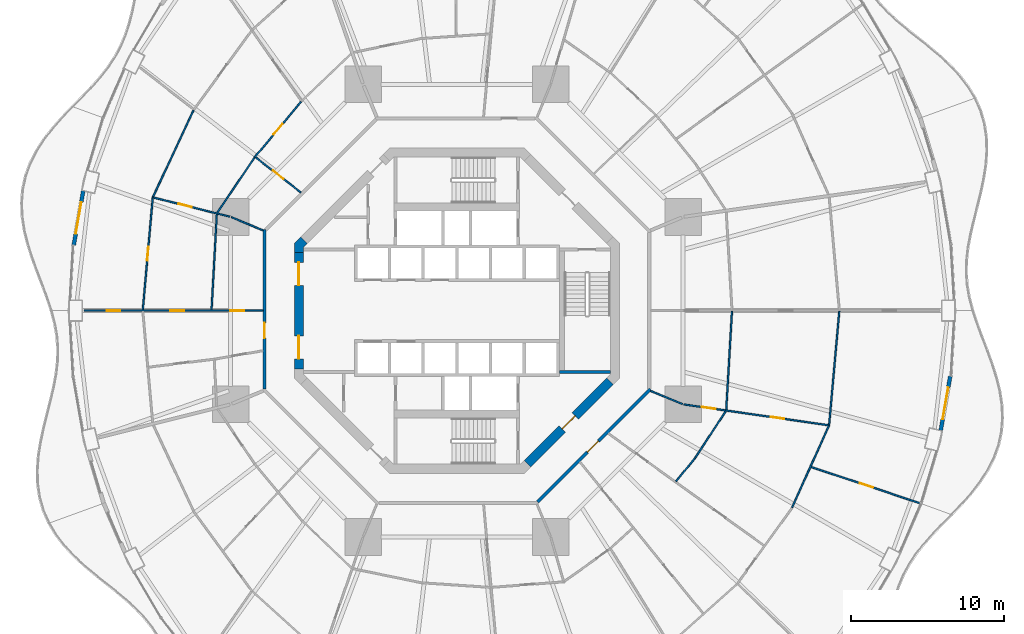
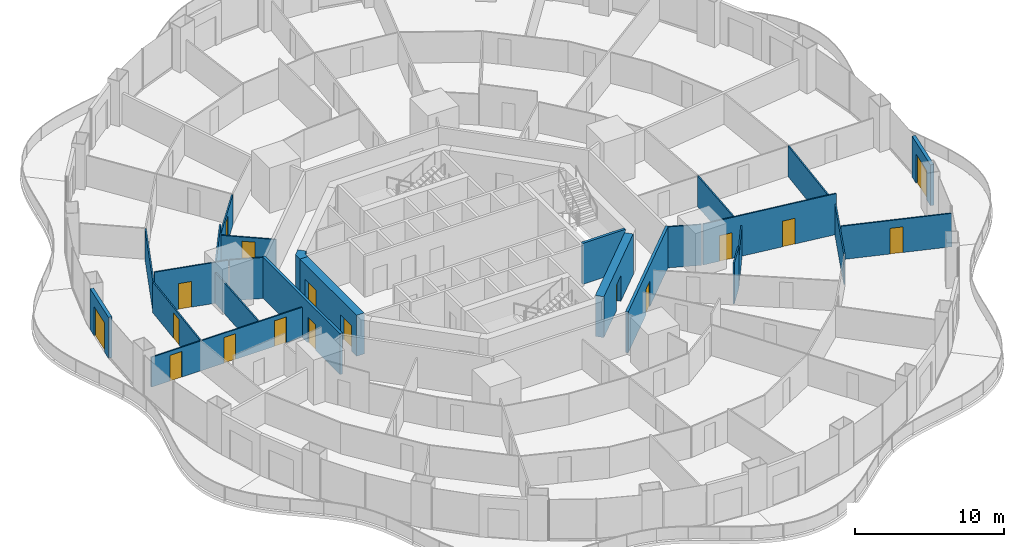
# One storey, part 16 of 22: 25 walls, 17 doors, 17 openings.
"""IFC4 building model written with IfcOpenShell, lengths in metres."""

from ifc_helpers import new_model, si_unit, direction, frame, frame_2d, origin, place, context, subcontext, project, spatial, polyline, rectangle, outline, extrude, material, layer, layer_set, type_object, element, fill, save


model = new_model("IFC4")

# Units and contexts
model_context = context("Model", 3, precision=1e-05, world=origin(), true_north=direction((0.0, 1.0)))
body_context = subcontext(model_context, "Body", "Model", "MODEL_VIEW")
ifc_project = project(units=[si_unit("LENGTHUNIT", "METRE"), si_unit("AREAUNIT", "SQUARE_METRE"), si_unit("VOLUMEUNIT", "CUBIC_METRE"), si_unit("PLANEANGLEUNIT", "RADIAN"), si_unit("MASSUNIT", "GRAM", prefix="KILO")], contexts=[model_context])

# Site, building, storey
site_placement = place(None, origin())
site = spatial("IfcSite", under=ifc_project, at=site_placement, CompositionType="ELEMENT")
building_placement = place(site_placement, origin())
building = spatial("IfcBuilding", under=site, at=building_placement, Name="Nagisa Residences", CompositionType="ELEMENT")
storey_placement = place(building_placement, frame((0.0, 0.0, 64.0)))
storey = spatial("IfcBuildingStorey", under=building, at=storey_placement, Name="L15", CompositionType="ELEMENT", Elevation=64.0)

# Wall, opening, door
ifc_material_1 = material(Name="Gypsum board on steel studs", Category="steel")
ifc_layer_1 = layer(ifc_material_1, 0.199951171875)
ifc_layer_set_1 = layer_set([ifc_layer_1], Name="Apartment entry wall EI60 200")
wall_type_1 = type_object("IfcWallType", Name="Apartment entry wall EI60 200", PredefinedType="PARTITIONING", material=ifc_layer_set_1)
wall_1_placement = place(storey_placement, frame((-12.564697265625, 5.304443359375, 0.0), z_axis=(0.0, 0.0, 1.0), x_axis=(0.0, -1.0, 0.0)))
wall_1 = element("IfcWall", 1, at=wall_1_placement, inside=storey, type_object=wall_type_1, Name="wall:L15:u10", PredefinedType="PARTITIONING", context=body_context, shape_type="SweptSolid", body=[
    extrude(rectangle(XDim=10.408935546875, YDim=0.199951171875, at=frame_2d((5.20458984375, 0.0))), origin(), (0.0, 0.0, 1.0), 3.35009765625),
])
opening_1_placement = place(wall_1_placement, frame((6.105712890625, 0.0, 0.0)))
opening_1 = element("IfcOpeningElement", 2, at=opening_1_placement, cuts=wall_1, Name="Opening L15-U42", PredefinedType="OPENING", context=body_context, shape_type="SweptSolid", body=[
    extrude(rectangle(XDim=1.0, YDim=2.10009765625, at=frame_2d((0.5, 1.050048828125))), frame((0.0, 0.10986328125, 0.0), z_axis=(0.0, -1.0, 0.0), x_axis=(1.0, 0.0, 0.0)), (0.0, 0.0, 1.0), 0.219970703125),
])
ifc_material_2 = material(Name="Timber fire door set", Category="wood")
door_type_1 = type_object("IfcDoorType", Name="Apartment entry door FD30S 1000x2100", OperationType="NOTDEFINED", PredefinedType="DOOR", material=ifc_material_2)
door_1_placement = place(opening_1_placement, frame((1.0, 0.0, 0.0), x_axis=(-1.0, 0.0, 0.0)))
door_1 = element("IfcDoor", 3, at=door_1_placement, inside=storey, type_object=door_type_1, Name="Entry door, Apartment 15C", OperationType="SINGLE_SWING_LEFT", OverallHeight=2.10009765625, OverallWidth=1.0, PredefinedType="DOOR", context=body_context, shape_type="SweptSolid", body=[
    extrude(rectangle(XDim=1.0, YDim=2.10009765625, at=frame_2d((0.5, 1.050048828125))), frame((0.0, 0.02490234375, 0.0), z_axis=(0.0, -1.0, 0.0), x_axis=(1.0, 0.0, 0.0)), (0.0, 0.0, 1.0), 0.050048828125),
])
fill(opening_1, door_1)

wall_2_placement = place(storey_placement, frame((5.275146484375, -12.494140625, 0.0), z_axis=(0.0, 0.0, 1.0), x_axis=(0.707106781187, 0.707106781187, 0.0)))
wall_2 = element("IfcWall", 4, at=wall_2_placement, inside=storey, type_object=wall_type_1, Name="wall:L15:u13", PredefinedType="PARTITIONING", context=body_context, shape_type="SweptSolid", body=[
    extrude(rectangle(XDim=10.4091796875, YDim=0.199951171875, at=frame_2d((5.20458984375, 0.0))), origin(), (0.0, 0.0, 1.0), 3.35009765625),
])
opening_2_placement = place(wall_2_placement, frame((4.6044921875, 0.0, 0.0)))
opening_2 = element("IfcOpeningElement", 5, at=opening_2_placement, cuts=wall_2, Name="Opening L15-U01", PredefinedType="OPENING", context=body_context, shape_type="SweptSolid", body=[
    extrude(rectangle(XDim=1.0, YDim=2.10009765625, at=frame_2d((0.5, 1.050048828125))), frame((0.0, 0.10986328125, 0.0), z_axis=(0.0, -1.0, 0.0), x_axis=(1.0, 0.0, 0.0)), (0.0, 0.0, 1.0), 0.219970703125),
])
door_2_placement = place(opening_2_placement, frame((1.0, 0.0, 0.0), x_axis=(-1.0, 0.0, 0.0)))
door_2 = element("IfcDoor", 6, at=door_2_placement, inside=storey, type_object=door_type_1, Name="Entry door, Apartment 15A", OperationType="SINGLE_SWING_RIGHT", OverallHeight=2.10009765625, OverallWidth=1.0, PredefinedType="DOOR", context=body_context, shape_type="SweptSolid", body=[
    extrude(rectangle(XDim=1.0, YDim=2.10009765625, at=frame_2d((0.5, 1.050048828125))), frame((0.0, 0.02490234375, 0.0), z_axis=(0.0, -1.0, 0.0), x_axis=(1.0, 0.0, 0.0)), (0.0, 0.0, 1.0), 0.050048828125),
])
fill(opening_2, door_2)

# Walls
ifc_material_3 = material(Name="Gypsum board on steel studs", Category="steel")
ifc_layer_2 = layer(ifc_material_3, 0.10009765625)
ifc_layer_set_2 = layer_set([ifc_layer_2], Name="Apartment partition 100")
wall_type_2 = type_object("IfcWallType", Name="Apartment partition 100", PredefinedType="PARTITIONING", material=ifc_layer_set_2)
wall_3_placement = place(storey_placement, frame((17.971435546875, -0.0498046875, 0.0), z_axis=(0.0, 0.0, 1.0), x_axis=(-0.058475267553, -0.998288857538, 0.0)))
element("IfcWall", 7, at=wall_3_placement, inside=storey, type_object=wall_type_2, Name="wall:L15:u16", PredefinedType="PARTITIONING", context=body_context, shape_type="SweptSolid", body=[
    extrude(rectangle(XDim=6.43798828125, YDim=0.10009765625, at=frame_2d((3.218994140625, 0.0))), origin(), (0.0, 0.0, 1.0), 2.514892578125),
])
wall_4_placement = place(storey_placement, frame((24.982177734375, -0.0498046875, 0.0), z_axis=(0.0, 0.0, 1.0), x_axis=(-0.089432471274, -0.995992888068, 0.0)))
element("IfcWall", 8, at=wall_4_placement, inside=storey, type_object=wall_type_2, Name="wall:L15:u18", PredefinedType="PARTITIONING", context=body_context, shape_type="SweptSolid", body=[
    extrude(rectangle(XDim=7.422607421875, YDim=0.10009765625, at=frame_2d((3.71142578125, 0.0))), origin(), (0.0, 0.0, 1.0), 2.514892578125),
])

# Wall, opening, door
wall_5_placement = place(storey_placement, frame((-10.18701171875, 13.643310546875, 0.0), z_axis=(0.0, 0.0, 1.0), x_axis=(-0.640807748916, -0.767701393075, 0.0)))
wall_5 = element("IfcWall", 9, at=wall_5_placement, inside=storey, type_object=wall_type_2, Name="wall:L15:u44", PredefinedType="PARTITIONING", context=body_context, shape_type="SweptSolid", body=[
    extrude(rectangle(XDim=4.73681640625, YDim=0.10009765625, at=frame_2d((2.368408203125, 0.0))), origin(), (0.0, 0.0, 1.0), 2.514892578125),
])
opening_3_placement = place(wall_5_placement, frame((1.893310546875, 0.0, 0.0)))
opening_3 = element("IfcOpeningElement", 10, at=opening_3_placement, cuts=wall_5, Name="Opening L15-U51", PredefinedType="OPENING", context=body_context, shape_type="SweptSolid", body=[
    extrude(rectangle(XDim=0.89990234375, YDim=2.10009765625, at=frame_2d((0.449951171875, 1.050048828125))), frame((0.0, 0.06005859375, 0.0), z_axis=(0.0, -1.0, 0.0), x_axis=(1.0, 0.0, 0.0)), (0.0, 0.0, 1.0), 0.1201171875),
])
ifc_material_4 = material(Name="Timber door set", Category="wood")
door_type_2 = type_object("IfcDoorType", Name="Apartment door 900x2100", OperationType="NOTDEFINED", PredefinedType="DOOR", material=ifc_material_4)
door_3_placement = place(opening_3_placement, origin())
door_3 = element("IfcDoor", 11, at=door_3_placement, inside=storey, type_object=door_type_2, Name="Door to laundry, Apartment 15C", OperationType="SINGLE_SWING_LEFT", OverallHeight=2.10009765625, OverallWidth=0.89990234375, PredefinedType="DOOR", context=body_context, shape_type="SweptSolid", body=[
    extrude(rectangle(XDim=0.89990234375, YDim=2.10009765625, at=frame_2d((0.449951171875, 1.050048828125))), frame((0.0, 0.02490234375, 0.0), z_axis=(0.0, -1.0, 0.0), x_axis=(1.0, 0.0, 0.0)), (0.0, 0.0, 1.0), 0.050048828125),
])
fill(opening_3, door_3)

wall_6_placement = place(storey_placement, frame((-10.1904296875, 7.71923828125, 0.0), z_axis=(0.0, 0.0, 1.0), x_axis=(-0.790253294643, 0.612780327937, 0.0)))
wall_6 = element("IfcWall", 12, at=wall_6_placement, inside=storey, type_object=wall_type_2, Name="wall:L15:u46", PredefinedType="PARTITIONING", context=body_context, shape_type="SweptSolid", body=[
    extrude(rectangle(XDim=3.745849609375, YDim=0.10009765625, at=frame_2d((1.873046875, 0.0))), origin(), (0.0, 0.0, 1.0), 2.447021484375),
])
opening_4_placement = place(wall_6_placement, frame((1.423095703125, 0.0, 0.0)))
opening_4 = element("IfcOpeningElement", 13, at=opening_4_placement, cuts=wall_6, Name="Opening L15-U52", PredefinedType="OPENING", context=body_context, shape_type="SweptSolid", body=[
    extrude(rectangle(XDim=0.89990234375, YDim=2.10009765625, at=frame_2d((0.449951171875, 1.050048828125))), frame((0.0, 0.06005859375, 0.0), z_axis=(0.0, -1.0, 0.0), x_axis=(1.0, 0.0, 0.0)), (0.0, 0.0, 1.0), 0.1201171875),
])
door_4_placement = place(opening_4_placement, origin())
door_4 = element("IfcDoor", 14, at=door_4_placement, inside=storey, type_object=door_type_2, Name="Door to store, Apartment 15C", OperationType="SINGLE_SWING_RIGHT", OverallHeight=2.10009765625, OverallWidth=0.89990234375, PredefinedType="DOOR", context=body_context, shape_type="SweptSolid", body=[
    extrude(rectangle(XDim=0.89990234375, YDim=2.10009765625, at=frame_2d((0.449951171875, 1.050048828125))), frame((0.0, 0.02490234375, 0.0), z_axis=(0.0, -1.0, 0.0), x_axis=(1.0, 0.0, 0.0)), (0.0, 0.0, 1.0), 0.050048828125),
])
fill(opening_4, door_4)

# Walls
wall_7_placement = place(storey_placement, frame((-13.21826171875, 10.00390625, 0.0), z_axis=(0.0, 0.0, 1.0), x_axis=(-0.559126445155, -0.82908239538, 0.0)))
element("IfcWall", 15, at=wall_7_placement, inside=storey, type_object=wall_type_2, Name="wall:L15:u47", PredefinedType="PARTITIONING", context=body_context, shape_type="SweptSolid", body=[
    extrude(rectangle(XDim=4.358154296875, YDim=0.10009765625, at=frame_2d((2.17919921875, 0.0))), origin(), (0.0, 0.0, 1.0), 3.35009765625),
])
wall_8_placement = place(storey_placement, frame((-17.20263671875, 13.0947265625, 0.0), z_axis=(0.0, 0.0, 1.0), x_axis=(-0.423892287987, -0.905712607942, 0.0)))
element("IfcWall", 16, at=wall_8_placement, inside=storey, type_object=wall_type_2, Name="wall:L15:u49", PredefinedType="PARTITIONING", context=body_context, shape_type="SweptSolid", body=[
    extrude(rectangle(XDim=6.237548828125, YDim=0.10009765625, at=frame_2d((3.11865234375, 0.0))), origin(), (0.0, 0.0, 1.0), 2.514892578125),
])
wall_9_placement = place(storey_placement, frame((-12.6572265625, 5.24267578125, 0.0), z_axis=(0.0, 0.0, 1.0), x_axis=(-0.923864733477, 0.382719158442, 0.0)))
element("IfcWall", 17, at=wall_9_placement, inside=storey, type_object=wall_type_2, Name="wall:L15:u50", PredefinedType="PARTITIONING", context=body_context, shape_type="SweptSolid", body=[
    extrude(rectangle(XDim=2.25, YDim=0.10009765625, at=frame_2d((1.125, 0.0))), origin(), (0.0, 0.0, 1.0), 3.35009765625),
])

# Wall, opening, door
wall_10_placement = place(storey_placement, frame((-14.83056640625, 6.135009765625, 0.0), z_axis=(0.0, 0.0, 1.0), x_axis=(-0.96988230015, 0.243574062362, 0.0)))
wall_10 = element("IfcWall", 18, at=wall_10_placement, inside=storey, type_object=wall_type_2, Name="wall:L15:u51", PredefinedType="PARTITIONING", context=body_context, shape_type="SweptSolid", body=[
    extrude(rectangle(XDim=5.14404296875, YDim=0.10009765625, at=frame_2d((2.572021484375, 0.0))), origin(), (0.0, 0.0, 1.0), 3.35009765625),
])
opening_5_placement = place(wall_10_placement, frame((2.561279296875, 0.0, 0.0)))
opening_5 = element("IfcOpeningElement", 19, at=opening_5_placement, cuts=wall_10, Name="Opening L15-U49", PredefinedType="OPENING", context=body_context, shape_type="SweptSolid", body=[
    extrude(rectangle(XDim=0.89990234375, YDim=2.10009765625, at=frame_2d((0.449951171875, 1.050048828125))), frame((0.0, 0.06005859375, 0.0), z_axis=(0.0, -1.0, 0.0), x_axis=(1.0, 0.0, 0.0)), (0.0, 0.0, 1.0), 0.1201171875),
])
door_5_placement = place(opening_5_placement, frame((0.89990234375, 0.0, 0.0), x_axis=(-1.0, 0.0, 0.0)))
door_5 = element("IfcDoor", 20, at=door_5_placement, inside=storey, type_object=door_type_2, Name="Door to family room, Apartment 15C", OperationType="SINGLE_SWING_RIGHT", OverallHeight=2.10009765625, OverallWidth=0.89990234375, PredefinedType="DOOR", context=body_context, shape_type="SweptSolid", body=[
    extrude(rectangle(XDim=0.89990234375, YDim=2.10009765625, at=frame_2d((0.449951171875, 1.050048828125))), frame((0.0, 0.02490234375, 0.0), z_axis=(0.0, -1.0, 0.0), x_axis=(1.0, 0.0, 0.0)), (0.0, 0.0, 1.0), 0.050048828125),
])
fill(opening_5, door_5)

# Wall
wall_11_placement = place(storey_placement, frame((-15.685546875, 6.29931640625, 0.0), z_axis=(0.0, 0.0, 1.0), x_axis=(-0.054651178503, -0.99850550759, 0.0)))
element("IfcWall", 21, at=wall_11_placement, inside=storey, type_object=wall_type_2, Name="wall:L15:u52", PredefinedType="PARTITIONING", context=body_context, shape_type="SweptSolid", body=[
    extrude(rectangle(XDim=6.258544921875, YDim=0.10009765625, at=frame_2d((3.12939453125, 0.0))), origin(), (0.0, 0.0, 1.0), 2.514892578125),
])

# Wall, opening, door
wall_12_placement = place(storey_placement, frame((-19.863525390625, 7.449951171875, 0.0), z_axis=(0.0, 0.0, 1.0), x_axis=(-0.088138375539, -0.996108240483, 0.0)))
wall_12 = element("IfcWall", 22, at=wall_12_placement, inside=storey, type_object=wall_type_2, Name="wall:L15:u53", PredefinedType="PARTITIONING", context=body_context, shape_type="SweptSolid", body=[
    extrude(rectangle(XDim=7.428955078125, YDim=0.10009765625, at=frame_2d((3.71435546875, 0.0))), origin(), (0.0, 0.0, 1.0), 2.514892578125),
])
opening_6_placement = place(wall_12_placement, frame((3.28955078125, 0.0, 0.0)))
opening_6 = element("IfcOpeningElement", 23, at=opening_6_placement, cuts=wall_12, Name="Opening L15-U47", PredefinedType="OPENING", context=body_context, shape_type="SweptSolid", body=[
    extrude(rectangle(XDim=0.89990234375, YDim=2.10009765625, at=frame_2d((0.449951171875, 1.050048828125))), frame((0.0, 0.06005859375, 0.0), z_axis=(0.0, -1.0, 0.0), x_axis=(1.0, 0.0, 0.0)), (0.0, 0.0, 1.0), 0.1201171875),
])
door_6_placement = place(opening_6_placement, frame((0.89990234375, 0.0, 0.0), x_axis=(-1.0, 0.0, 0.0)))
door_6 = element("IfcDoor", 24, at=door_6_placement, inside=storey, type_object=door_type_2, Name="Door to family room, Apartment 15C", OperationType="SINGLE_SWING_RIGHT", OverallHeight=2.10009765625, OverallWidth=0.89990234375, PredefinedType="DOOR", context=body_context, shape_type="SweptSolid", body=[
    extrude(rectangle(XDim=0.89990234375, YDim=2.10009765625, at=frame_2d((0.449951171875, 1.050048828125))), frame((0.0, 0.02490234375, 0.0), z_axis=(0.0, -1.0, 0.0), x_axis=(1.0, 0.0, 0.0)), (0.0, 0.0, 1.0), 0.050048828125),
])
fill(opening_6, door_6)

# Wall, openings, doors
wall_13_placement = place(storey_placement, frame((-12.664794921875, 0.0, 0.0), z_axis=(0.0, 0.0, 1.0), x_axis=(-1.0, 0.0, 0.0)))
wall_13 = element("IfcWall", 25, at=wall_13_placement, inside=storey, type_object=wall_type_2, Name="wall:L15:u54", PredefinedType="PARTITIONING", context=body_context, shape_type="SweptSolid", body=[
    extrude(rectangle(XDim=11.685302734375, YDim=0.10009765625, at=frame_2d((5.8427734375, 0.0))), origin(), (0.0, 0.0, 1.0), 2.447021484375),
])
opening_7_placement = place(wall_13_placement, frame((1.23291015625, 0.0, 0.0)))
opening_7 = element("IfcOpeningElement", 26, at=opening_7_placement, cuts=wall_13, Name="Opening L15-U43", PredefinedType="OPENING", context=body_context, shape_type="SweptSolid", body=[
    extrude(rectangle(XDim=0.89990234375, YDim=2.10009765625, at=frame_2d((0.449951171875, 1.050048828125))), frame((0.0, 0.06005859375, 0.0), z_axis=(0.0, -1.0, 0.0), x_axis=(1.0, 0.0, 0.0)), (0.0, 0.0, 1.0), 0.1201171875),
])
opening_8_placement = place(wall_13_placement, frame((5.16162109375, 0.0, 0.0)))
opening_8 = element("IfcOpeningElement", 27, at=opening_8_placement, cuts=wall_13, Name="Opening L15-U45", PredefinedType="OPENING", context=body_context, shape_type="SweptSolid", body=[
    extrude(rectangle(XDim=0.89990234375, YDim=2.10009765625, at=frame_2d((0.449951171875, 1.050048828125))), frame((0.0, 0.06005859375, 0.0), z_axis=(0.0, -1.0, 0.0), x_axis=(1.0, 0.0, 0.0)), (0.0, 0.0, 1.0), 0.1201171875),
])
opening_9_placement = place(wall_13_placement, frame((9.321533203125, 0.0, 0.0)))
opening_9 = element("IfcOpeningElement", 28, at=opening_9_placement, cuts=wall_13, Name="Opening L15-U48", PredefinedType="OPENING", context=body_context, shape_type="SweptSolid", body=[
    extrude(rectangle(XDim=0.89990234375, YDim=2.10009765625, at=frame_2d((0.449951171875, 1.050048828125))), frame((0.0, 0.06005859375, 0.0), z_axis=(0.0, -1.0, 0.0), x_axis=(1.0, 0.0, 0.0)), (0.0, 0.0, 1.0), 0.1201171875),
])
door_7_placement = place(opening_7_placement, frame((0.89990234375, 0.0, 0.0), x_axis=(-1.0, 0.0, 0.0)))
door_7 = element("IfcDoor", 29, at=door_7_placement, inside=storey, type_object=door_type_2, Name="Door to family bathroom, Apartment 15C", OperationType="SINGLE_SWING_RIGHT", OverallHeight=2.10009765625, OverallWidth=0.89990234375, PredefinedType="DOOR", context=body_context, shape_type="SweptSolid", body=[
    extrude(rectangle(XDim=0.89990234375, YDim=2.10009765625, at=frame_2d((0.449951171875, 1.050048828125))), frame((0.0, 0.02490234375, 0.0), z_axis=(0.0, -1.0, 0.0), x_axis=(1.0, 0.0, 0.0)), (0.0, 0.0, 1.0), 0.050048828125),
])
fill(opening_7, door_7)
door_8_placement = place(opening_8_placement, frame((0.89990234375, 0.0, 0.0), x_axis=(-1.0, 0.0, 0.0)))
door_8 = element("IfcDoor", 30, at=door_8_placement, inside=storey, type_object=door_type_2, Name="Door to dining room, Apartment 15C", OperationType="SINGLE_SWING_RIGHT", OverallHeight=2.10009765625, OverallWidth=0.89990234375, PredefinedType="DOOR", context=body_context, shape_type="SweptSolid", body=[
    extrude(rectangle(XDim=0.89990234375, YDim=2.10009765625, at=frame_2d((0.449951171875, 1.050048828125))), frame((0.0, 0.02490234375, 0.0), z_axis=(0.0, -1.0, 0.0), x_axis=(1.0, 0.0, 0.0)), (0.0, 0.0, 1.0), 0.050048828125),
])
fill(opening_8, door_8)
door_9_placement = place(opening_9_placement, origin())
door_9 = element("IfcDoor", 31, at=door_9_placement, inside=storey, type_object=door_type_2, Name="Door to bedroom, Apartment 15C", OperationType="SINGLE_SWING_RIGHT", OverallHeight=2.10009765625, OverallWidth=0.89990234375, PredefinedType="DOOR", context=body_context, shape_type="SweptSolid", body=[
    extrude(rectangle(XDim=0.89990234375, YDim=2.10009765625, at=frame_2d((0.449951171875, 1.050048828125))), frame((0.0, 0.02490234375, 0.0), z_axis=(0.0, -1.0, 0.0), x_axis=(1.0, 0.0, 0.0)), (0.0, 0.0, 1.0), 0.050048828125),
])
fill(opening_9, door_9)

# Walls
wall_14_placement = place(storey_placement, frame((14.31982421875, -11.153076171875, 0.0), z_axis=(0.0, 0.0, 1.0), x_axis=(0.63006076661, 0.776545832761, 0.0)))
element("IfcWall", 32, at=wall_14_placement, inside=storey, type_object=wall_type_2, Name="wall:L15:u89", PredefinedType="PARTITIONING", context=body_context, shape_type="SweptSolid", body=[
    extrude(rectangle(XDim=1.953369140625, YDim=0.10009765625, at=frame_2d((0.9765625, 0.0))), origin(), (0.0, 0.0, 1.0), 3.35009765625),
])
wall_15_placement = place(storey_placement, frame((15.5546875, -9.639404296875, 0.0), z_axis=(0.0, 0.0, 1.0), x_axis=(0.547618530423, 0.836728119007, 0.0)))
element("IfcWall", 33, at=wall_15_placement, inside=storey, type_object=wall_type_2, Name="wall:L15:u90", PredefinedType="PARTITIONING", context=body_context, shape_type="SweptSolid", body=[
    extrude(rectangle(XDim=3.669921875, YDim=0.10009765625, at=frame_2d((1.8349609375, 0.0))), origin(), (0.0, 0.0, 1.0), 2.514892578125),
])
wall_16_placement = place(storey_placement, frame((21.89892578125, -12.861328125, 0.0), z_axis=(0.0, 0.0, 1.0), x_axis=(0.410197710154, 0.911996622025, 0.0)))
element("IfcWall", 34, at=wall_16_placement, inside=storey, type_object=wall_type_2, Name="wall:L15:u91", PredefinedType="PARTITIONING", context=body_context, shape_type="SweptSolid", body=[
    extrude(rectangle(XDim=5.8369140625, YDim=0.10009765625, at=frame_2d((2.91845703125, 0.0))), origin(), (0.0, 0.0, 1.0), 2.514892578125),
])

# Wall, opening, door
wall_17_placement = place(storey_placement, frame((23.1435546875, -10.215576171875, 0.0), z_axis=(0.0, 0.0, 1.0), x_axis=(0.948811715359, -0.315842253027, 0.0)))
wall_17 = element("IfcWall", 35, at=wall_17_placement, inside=storey, type_object=wall_type_2, Name="wall:L15:u92", PredefinedType="PARTITIONING", context=body_context, shape_type="SweptSolid", body=[
    extrude(rectangle(XDim=7.599853515625, YDim=0.10009765625, at=frame_2d((3.7998046875, 0.0))), origin(), (0.0, 0.0, 1.0), 2.738037109375),
])
opening_10_placement = place(wall_17_placement, frame((3.35009765625, 0.0, 0.0)))
opening_10 = element("IfcOpeningElement", 36, at=opening_10_placement, cuts=wall_17, Name="Opening L15-U15", PredefinedType="OPENING", context=body_context, shape_type="SweptSolid", body=[
    extrude(rectangle(XDim=0.89990234375, YDim=2.10009765625, at=frame_2d((0.449951171875, 1.050048828125))), frame((0.0, 0.06005859375, 0.0), z_axis=(0.0, -1.0, 0.0), x_axis=(1.0, 0.0, 0.0)), (0.0, 0.0, 1.0), 0.1201171875),
])
door_10_placement = place(opening_10_placement, origin())
door_10 = element("IfcDoor", 37, at=door_10_placement, inside=storey, type_object=door_type_2, Name="Door to family room, Apartment 15A", OperationType="SINGLE_SWING_LEFT", OverallHeight=2.10009765625, OverallWidth=0.89990234375, PredefinedType="DOOR", context=body_context, shape_type="SweptSolid", body=[
    extrude(rectangle(XDim=0.89990234375, YDim=2.10009765625, at=frame_2d((0.449951171875, 1.050048828125))), frame((0.0, 0.02490234375, 0.0), z_axis=(0.0, -1.0, 0.0), x_axis=(1.0, 0.0, 0.0)), (0.0, 0.0, 1.0), 0.050048828125),
])
fill(opening_10, door_10)

# Wall
wall_18_placement = place(storey_placement, frame((12.6572265625, -5.24267578125, 0.0), z_axis=(0.0, 0.0, 1.0), x_axis=(0.923864733477, -0.382719158442, 0.0)))
element("IfcWall", 38, at=wall_18_placement, inside=storey, type_object=wall_type_2, Name="wall:L15:u93", PredefinedType="PARTITIONING", context=body_context, shape_type="SweptSolid", body=[
    extrude(rectangle(XDim=2.25, YDim=0.10009765625, at=frame_2d((1.125, 0.0))), origin(), (0.0, 0.0, 1.0), 3.35009765625),
])

# Wall, openings, doors
wall_19_placement = place(storey_placement, frame((14.83154296875, -6.130126953125, 0.0), z_axis=(0.0, 0.0, 1.0), x_axis=(0.989837122016, -0.142205737856, 0.0)))
wall_19 = element("IfcWall", 39, at=wall_19_placement, inside=storey, type_object=wall_type_2, Name="wall:L15:u94", PredefinedType="PARTITIONING", context=body_context, shape_type="SweptSolid", body=[
    extrude(rectangle(XDim=9.629638671875, YDim=0.10009765625, at=frame_2d((4.81494140625, 0.0))), origin(), (0.0, 0.0, 1.0), 3.35009765625),
])
opening_11_placement = place(wall_19_placement, frame((1.18212890625, 0.0, 0.0)))
opening_11 = element("IfcOpeningElement", 40, at=opening_11_placement, cuts=wall_19, Name="Opening L15-U04", PredefinedType="OPENING", context=body_context, shape_type="SweptSolid", body=[
    extrude(rectangle(XDim=0.89990234375, YDim=2.10009765625, at=frame_2d((0.449951171875, 1.050048828125))), frame((0.0, 0.06005859375, 0.0), z_axis=(0.0, -1.0, 0.0), x_axis=(1.0, 0.0, 0.0)), (0.0, 0.0, 1.0), 0.1201171875),
])
opening_12_placement = place(wall_19_placement, frame((5.734130859375, 0.0, 0.0)))
opening_12 = element("IfcOpeningElement", 41, at=opening_12_placement, cuts=wall_19, Name="Opening L15-U09", PredefinedType="OPENING", context=body_context, shape_type="SweptSolid", body=[
    extrude(rectangle(XDim=0.89990234375, YDim=2.10009765625, at=frame_2d((0.449951171875, 1.050048828125))), frame((0.0, 0.06005859375, 0.0), z_axis=(0.0, -1.0, 0.0), x_axis=(1.0, 0.0, 0.0)), (0.0, 0.0, 1.0), 0.1201171875),
])
door_11_placement = place(opening_11_placement, origin())
door_11 = element("IfcDoor", 42, at=door_11_placement, inside=storey, type_object=door_type_2, Name="Door to store, Apartment 15A", OperationType="SINGLE_SWING_RIGHT", OverallHeight=2.10009765625, OverallWidth=0.89990234375, PredefinedType="DOOR", context=body_context, shape_type="SweptSolid", body=[
    extrude(rectangle(XDim=0.89990234375, YDim=2.10009765625, at=frame_2d((0.449951171875, 1.050048828125))), frame((0.0, 0.02490234375, 0.0), z_axis=(0.0, -1.0, 0.0), x_axis=(1.0, 0.0, 0.0)), (0.0, 0.0, 1.0), 0.050048828125),
])
fill(opening_11, door_11)
door_12_placement = place(opening_12_placement, origin())
door_12 = element("IfcDoor", 43, at=door_12_placement, inside=storey, type_object=door_type_2, Name="Door to family room, Apartment 15A", OperationType="SINGLE_SWING_LEFT", OverallHeight=2.10009765625, OverallWidth=0.89990234375, PredefinedType="DOOR", context=body_context, shape_type="SweptSolid", body=[
    extrude(rectangle(XDim=0.89990234375, YDim=2.10009765625, at=frame_2d((0.449951171875, 1.050048828125))), frame((0.0, 0.02490234375, 0.0), z_axis=(0.0, -1.0, 0.0), x_axis=(1.0, 0.0, 0.0)), (0.0, 0.0, 1.0), 0.050048828125),
])
fill(opening_12, door_12)

# Wall, opening, door
ifc_material_5 = material(Name="Precast concrete C40/50", Category="concrete")
ifc_layer_3 = layer(ifc_material_5, 0.25)
ifc_layer_set_3 = layer_set([ifc_layer_3], Name="BALCONY DOOR WALL 250")
wall_type_3 = type_object("IfcWallType", Name="BALCONY DOOR WALL 250", PredefinedType="SOLIDWALL", material=ifc_layer_set_3)
wall_20_placement = place(storey_placement, frame((-25.02880859375, 4.285888671875, 0.0), z_axis=(0.0, 0.0, 1.0), x_axis=(0.172217377323, 0.98505897029, 0.0)))
wall_20 = element("IfcWall", 44, at=wall_20_placement, inside=storey, type_object=wall_type_3, Name="wall:L15:bay22", PredefinedType="SOLIDWALL", context=body_context, shape_type="SweptSolid", body=[
    extrude(rectangle(XDim=3.597900390625, YDim=0.25, at=frame_2d((1.798828125, 0.0))), origin(), (0.0, 0.0, 1.0), 3.35009765625),
])
opening_13_placement = place(wall_20_placement, frame((0.7490234375, 0.0, 0.0)))
opening_13 = element("IfcOpeningElement", 45, at=opening_13_placement, cuts=wall_20, Name="Opening BD-L15-08", PredefinedType="OPENING", context=body_context, shape_type="SweptSolid", body=[
    extrude(rectangle(XDim=2.10009765625, YDim=2.39990234375, at=frame_2d((1.050048828125, 1.199951171875))), frame((0.0, 0.135009765625, 0.0), z_axis=(0.0, -1.0, 0.0), x_axis=(1.0, 0.0, 0.0)), (0.0, 0.0, 1.0), 0.27001953125),
])
ifc_material_6 = material(Name="Aluminium and clear glass", Category="aluminium")
door_type_3 = type_object("IfcDoorType", Name="BALCONY SLIDING DOOR 2100x2400", OperationType="SLIDING_TO_LEFT", PredefinedType="DOOR", material=ifc_material_6)
door_13_placement = place(opening_13_placement, origin())
door_13 = element("IfcDoor", 46, at=door_13_placement, inside=storey, type_object=door_type_3, Name="door:L15:bay22", OperationType="SLIDING_TO_LEFT", OverallHeight=2.39990234375, OverallWidth=2.10009765625, PredefinedType="DOOR", context=body_context, shape_type="SweptSolid", body=[
    extrude(rectangle(XDim=2.10009765625, YDim=2.39990234375, at=frame_2d((1.050048828125, 1.199951171875))), frame((0.0, 0.02490234375, 0.0), z_axis=(0.0, -1.0, 0.0), x_axis=(1.0, 0.0, 0.0)), (0.0, 0.0, 1.0), 0.050048828125),
])
fill(opening_13, door_13)

wall_21_placement = place(storey_placement, frame((32.228759765625, -4.285888671875, 0.0), z_axis=(0.0, 0.0, 1.0), x_axis=(-0.172217377323, -0.98505897029, 0.0)))
wall_21 = element("IfcWall", 47, at=wall_21_placement, inside=storey, type_object=wall_type_3, Name="wall:L15:bay46", PredefinedType="SOLIDWALL", context=body_context, shape_type="SweptSolid", body=[
    extrude(rectangle(XDim=3.597900390625, YDim=0.25, at=frame_2d((1.798828125, 0.0))), origin(), (0.0, 0.0, 1.0), 3.35009765625),
])
opening_14_placement = place(wall_21_placement, frame((0.7490234375, 0.0, 0.0)))
opening_14 = element("IfcOpeningElement", 48, at=opening_14_placement, cuts=wall_21, Name="Opening BD-L15-16", PredefinedType="OPENING", context=body_context, shape_type="SweptSolid", body=[
    extrude(rectangle(XDim=2.10009765625, YDim=2.39990234375, at=frame_2d((1.050048828125, 1.199951171875))), frame((0.0, 0.135009765625, 0.0), z_axis=(0.0, -1.0, 0.0), x_axis=(1.0, 0.0, 0.0)), (0.0, 0.0, 1.0), 0.27001953125),
])
door_14_placement = place(opening_14_placement, origin())
door_14 = element("IfcDoor", 49, at=door_14_placement, inside=storey, type_object=door_type_3, Name="door:L15:bay46", OperationType="SLIDING_TO_LEFT", OverallHeight=2.39990234375, OverallWidth=2.10009765625, PredefinedType="DOOR", context=body_context, shape_type="SweptSolid", body=[
    extrude(rectangle(XDim=2.10009765625, YDim=2.39990234375, at=frame_2d((1.050048828125, 1.199951171875))), frame((0.0, 0.02490234375, 0.0), z_axis=(0.0, -1.0, 0.0), x_axis=(1.0, 0.0, 0.0)), (0.0, 0.0, 1.0), 0.050048828125),
])
fill(opening_14, door_14)

# Wall, openings, doors
ifc_material_7 = material(Name="Concrete C60", Category="concrete")
ifc_layer_4 = layer(ifc_material_7, 0.60009765625)
ifc_layer_set_4 = layer_set([ifc_layer_4], Name="Core shear wall 600")
wall_type_4 = type_object("IfcWallType", Name="Core shear wall 600", PredefinedType="SHEAR", material=ifc_layer_set_4)
wall_22_placement = place(storey_placement, frame((-10.32470703125, 3.80078125, 0.0), z_axis=(0.0, 0.0, 1.0), x_axis=(0.0, -1.0, 0.0)))
wall_22 = element("IfcWall", 50, at=wall_22_placement, inside=storey, type_object=wall_type_4, Name="wall:L15:core:flat4", PredefinedType="SHEAR", context=body_context, shape_type="SweptSolid", body=[
    extrude(rectangle(XDim=7.6015625, YDim=0.60009765625, at=frame_2d((3.80078125, 0.0))), origin(), (0.0, 0.0, 1.0), 3.35009765625),
])
opening_15_placement = place(wall_22_placement, frame((0.65087890625, 0.0, 0.0)))
opening_15 = element("IfcOpeningElement", 51, at=opening_15_placement, cuts=wall_22, Name="Opening L15-C18", PredefinedType="OPENING", context=body_context, shape_type="SweptSolid", body=[
    extrude(rectangle(XDim=1.5, YDim=2.10009765625, at=frame_2d((0.75, 1.050048828125))), frame((0.0, 0.31005859375, 0.0), z_axis=(0.0, -1.0, 0.0), x_axis=(1.0, 0.0, 0.0)), (0.0, 0.0, 1.0), 0.6201171875),
])
opening_16_placement = place(wall_22_placement, frame((5.450927734375, 0.0, 0.0)))
opening_16 = element("IfcOpeningElement", 52, at=opening_16_placement, cuts=wall_22, Name="Opening L15-C19", PredefinedType="OPENING", context=body_context, shape_type="SweptSolid", body=[
    extrude(rectangle(XDim=1.5, YDim=2.10009765625, at=frame_2d((0.75, 1.050048828125))), frame((0.0, 0.31005859375, 0.0), z_axis=(0.0, -1.0, 0.0), x_axis=(1.0, 0.0, 0.0)), (0.0, 0.0, 1.0), 0.6201171875),
])
ifc_material_8 = material(Name="Steel fire door", Category="steel")
door_type_4 = type_object("IfcDoorType", Name="Fire door EI60 1500x2100 double door single swing", OperationType="DOUBLE_DOOR_SINGLE_SWING", PredefinedType="DOOR", material=ifc_material_8)
door_15_placement = place(opening_15_placement, origin())
door_15 = element("IfcDoor", 53, at=door_15_placement, inside=storey, type_object=door_type_4, Name="Lift lobby door L15 1", OperationType="DOUBLE_DOOR_SINGLE_SWING", OverallHeight=2.10009765625, OverallWidth=1.5, PredefinedType="DOOR", context=body_context, shape_type="SweptSolid", body=[
    extrude(rectangle(XDim=1.5, YDim=2.10009765625, at=frame_2d((0.75, 1.050048828125))), frame((0.0, 0.02490234375, 0.0), z_axis=(0.0, -1.0, 0.0), x_axis=(1.0, 0.0, 0.0)), (0.0, 0.0, 1.0), 0.050048828125),
])
fill(opening_15, door_15)
door_16_placement = place(opening_16_placement, origin())
door_16 = element("IfcDoor", 54, at=door_16_placement, inside=storey, type_object=door_type_4, Name="Lift lobby door L15 2", OperationType="DOUBLE_DOOR_SINGLE_SWING", OverallHeight=2.10009765625, OverallWidth=1.5, PredefinedType="DOOR", context=body_context, shape_type="SweptSolid", body=[
    extrude(rectangle(XDim=1.5, YDim=2.10009765625, at=frame_2d((0.75, 1.050048828125))), frame((0.0, 0.02490234375, 0.0), z_axis=(0.0, -1.0, 0.0), x_axis=(1.0, 0.0, 0.0)), (0.0, 0.0, 1.0), 0.050048828125),
])
fill(opening_16, door_16)

# Wall, opening, door
wall_23_placement = place(storey_placement, frame((4.613037109375, -9.98828125, 0.0), z_axis=(0.0, 0.0, 1.0), x_axis=(0.707106781187, 0.707106781187, 0.0)))
wall_23 = element("IfcWall", 55, at=wall_23_placement, inside=storey, type_object=wall_type_4, Name="wall:L15:core:flat7", PredefinedType="SHEAR", context=body_context, shape_type="SweptSolid", body=[
    extrude(rectangle(XDim=7.601806640625, YDim=0.60009765625, at=frame_2d((3.80078125, 0.0))), origin(), (0.0, 0.0, 1.0), 3.35009765625),
])
opening_17_placement = place(wall_23_placement, frame((3.200927734375, 0.0, 0.0)))
opening_17 = element("IfcOpeningElement", 56, at=opening_17_placement, cuts=wall_23, Name="Opening L15-C17", PredefinedType="OPENING", context=body_context, shape_type="SweptSolid", body=[
    extrude(rectangle(XDim=1.199951171875, YDim=2.10009765625, at=frame_2d((0.60009765625, 1.050048828125))), frame((0.0, 0.31005859375, 0.0), z_axis=(0.0, -1.0, 0.0), x_axis=(1.0, 0.0, 0.0)), (0.0, 0.0, 1.0), 0.6201171875),
])
ifc_material_9 = material(Name="Steel fire door", Category="steel")
door_type_5 = type_object("IfcDoorType", Name="Fire door EI60 1200x2100 single swing", OperationType="NOTDEFINED", PredefinedType="DOOR", material=ifc_material_9)
door_17_placement = place(opening_17_placement, origin())
door_17 = element("IfcDoor", 57, at=door_17_placement, inside=storey, type_object=door_type_5, Name="Firefighting lobby 2 door L15", OperationType="SINGLE_SWING_RIGHT", OverallHeight=2.10009765625, OverallWidth=1.199951171875, PredefinedType="DOOR", context=body_context, shape_type="SweptSolid", body=[
    extrude(rectangle(XDim=1.199951171875, YDim=2.10009765625, at=frame_2d((0.60009765625, 1.050048828125))), frame((0.0, 0.02490234375, 0.0), z_axis=(0.0, -1.0, 0.0), x_axis=(1.0, 0.0, 0.0)), (0.0, 0.0, 1.0), 0.050048828125),
])
fill(opening_17, door_17)

# Walls
wall_24_placement = place(storey_placement, origin())
element("IfcWall", 58, at=wall_24_placement, inside=storey, type_object=wall_type_4, Name="wall:L15:core:pier3", PredefinedType="SHEAR", context=body_context, shape_type="SweptSolid", body=[
    extrude(outline(polyline([(-10.200439453125, 4.8251953125), (-9.776123046875, 4.40087890625), (-10.024658203125, 4.15234375), (-10.024658203125, 3.80078125), (-10.62451171875, 3.80078125), (-10.62451171875, 4.40087890625), (-10.200439453125, 4.8251953125)])), origin(), (0.0, 0.0, 1.0), 3.35009765625),
])
ifc_material_10 = material(Name="Concrete C60", Category="concrete")
ifc_layer_5 = layer(ifc_material_10, 0.199951171875)
ifc_layer_set_5 = layer_set([ifc_layer_5], Name="Stair enclosure wall 200")
wall_type_5 = type_object("IfcWallType", Name="Stair enclosure wall 200", PredefinedType="SOLIDWALL", material=ifc_layer_set_5)
wall_25_placement = place(storey_placement, origin())
element("IfcWall", 59, at=wall_25_placement, inside=storey, type_object=wall_type_5, Name="wall:L15:SE_s", PredefinedType="SOLIDWALL", context=body_context, shape_type="SweptSolid", body=[
    extrude(outline(polyline([(10.024658203125, -4.10009765625), (6.699951171875, -4.10009765625), (6.699951171875, -3.89990234375), (10.024658203125, -3.89990234375), (10.024658203125, -4.10009765625)])), origin(), (0.0, 0.0, 1.0), 3.35009765625),
])

save(model, "model.ifc")
